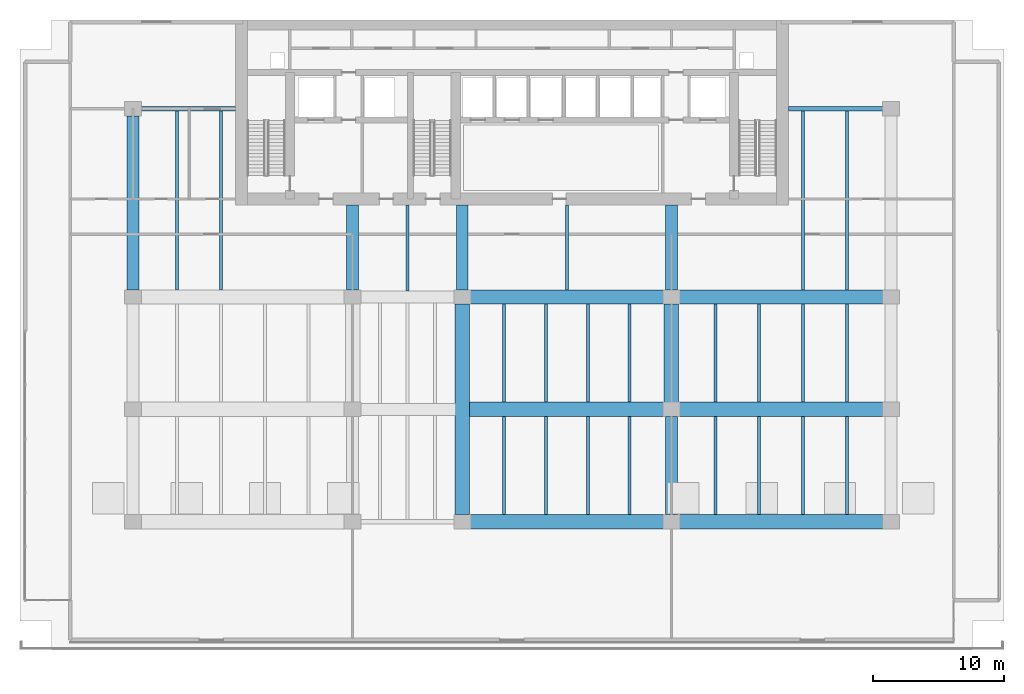
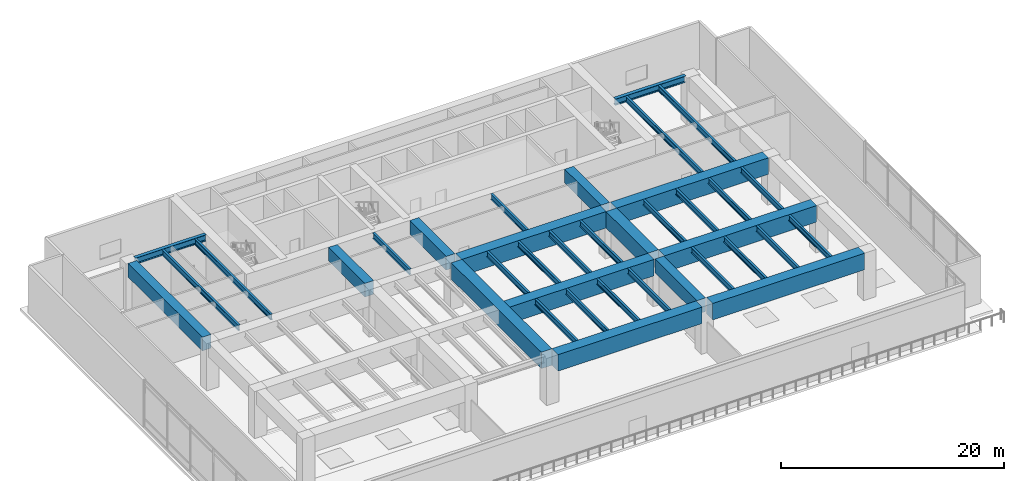
# One storey, part 3 of 12: 37 beams.
"""IFC4 building model written with IfcOpenShell, lengths in metres."""

from ifc_helpers import new_model, si_unit, direction, frame, origin, origin_2d, place, context, subcontext, project, spatial, rectangle, i_section, extrude, material, material_profile, profile_set, type_object, element, save


model = new_model("IFC4")

# Units and contexts
model_context = context("Model", 3, precision=1e-05, world=origin(), true_north=direction((0.0, 1.0)))
body_context = subcontext(model_context, "Body", "Model", "MODEL_VIEW")
ifc_project = project(units=[si_unit("LENGTHUNIT", "METRE"), si_unit("AREAUNIT", "SQUARE_METRE"), si_unit("VOLUMEUNIT", "CUBIC_METRE"), si_unit("PLANEANGLEUNIT", "RADIAN"), si_unit("MASSUNIT", "GRAM", prefix="KILO")], contexts=[model_context])

# Site, building, storey
site_placement = place(None, origin())
site = spatial("IfcSite", under=ifc_project, at=site_placement, CompositionType="ELEMENT")
building_placement = place(site_placement, origin())
building = spatial("IfcBuilding", under=site, at=building_placement, Name="Caelmar Bay Residences", CompositionType="ELEMENT")
storey_placement = place(building_placement, frame((0.0, 0.0, 24.60009765625)))
storey = spatial("IfcBuildingStorey", under=building, at=storey_placement, Name="L05", CompositionType="ELEMENT", Elevation=24.60009765625)

# Beams
ifc_material_1 = material(Name="Steel ASTM A992 Grade 50", Category="steel")
ifc_material_profile_1 = material_profile(ifc_material_1, i_section(OverallWidth=0.22900390625, OverallDepth=0.612060546875, WebThickness=0.011962890625, FlangeThickness=0.01953125, FilletRadius=0.0126953125, at=origin_2d()), Name="W24X84")
ifc_profile_set_1 = profile_set([ifc_material_profile_1], Name="Steel ASTM A992 Grade 50")
beam_type_1 = type_object("IfcBeamType", Name="BM-JST-W24X84", PredefinedType="JOIST", material=ifc_profile_set_1)
for number, where, z_axis, x_axis, name in (
    (1, (38.300048828125, 12.75, 4.843994140625), (0.0, 1.0, 0.0), (-1.0, 0.0, 0.0), "L05 Composite Floor Joist 8"),
    (2, (41.5, 12.75, 4.843994140625), (0.0, 1.0, 0.0), (-1.0, 0.0, 0.0), "L05 Composite Floor Joist 9"),
    (3, (44.699951171875, 12.75, 4.843994140625), (0.0, 1.0, 0.0), (-1.0, 0.0, 0.0), "L05 Composite Floor Joist 10"),
    (4, (47.89990234375, 12.75, 4.843994140625), (0.0, 1.0, 0.0), (-1.0, 0.0, 0.0), "L05 Composite Floor Joist 11"),
    (5, (54.4599609375, 12.75, 4.843994140625), (0.0, 1.0, 0.0), (-1.0, 0.0, 0.0), "L05 Composite Floor Joist 12"),
    (6, (57.820068359375, 12.75, 4.843994140625), (0.0, 1.0, 0.0), (-1.0, 0.0, 0.0), "L05 Composite Floor Joist 13"),
    (7, (61.179931640625, 12.75, 4.843994140625), (0.0, 1.0, 0.0), (-1.0, 0.0, 0.0), "L05 Composite Floor Joist 14"),
    (8, (64.5400390625, 12.75, 4.843994140625), (0.0, 1.0, 0.0), (-1.0, 0.0, 0.0), "L05 Composite Floor Joist 15"),
    (9, (38.300048828125, 21.35009765625, 4.843994140625), (0.0, 1.0, 0.0), (-1.0, 0.0, 0.0), "L05 Composite Floor Joist 23"),
    (10, (41.5, 21.35009765625, 4.843994140625), (0.0, 1.0, 0.0), (-1.0, 0.0, 0.0), "L05 Composite Floor Joist 24"),
    (11, (44.699951171875, 21.35009765625, 4.843994140625), (0.0, 1.0, 0.0), (-1.0, 0.0, 0.0), "L05 Composite Floor Joist 25"),
    (12, (47.89990234375, 21.35009765625, 4.843994140625), (0.0, 1.0, 0.0), (-1.0, 0.0, 0.0), "L05 Composite Floor Joist 26"),
    (13, (54.4599609375, 21.35009765625, 4.843994140625), (0.0, 1.0, 0.0), (-1.0, 0.0, 0.0), "L05 Composite Floor Joist 27"),
    (14, (57.820068359375, 21.35009765625, 4.843994140625), (0.0, 1.0, 0.0), (-1.0, 0.0, 0.0), "L05 Composite Floor Joist 28"),
    (15, (61.179931640625, 21.35009765625, 4.843994140625), (0.0, 1.0, 0.0), (-1.0, 0.0, 0.0), "L05 Composite Floor Joist 29"),
    (16, (64.5400390625, 21.35009765625, 4.843994140625), (0.0, 1.0, 0.0), (-1.0, 0.0, 0.0), "L05 Composite Floor Joist 30"),
):
    element("IfcBeam", number, at=place(storey_placement, frame(where, z_axis=z_axis, x_axis=x_axis)), inside=storey, type_object=beam_type_1, Name=name, PredefinedType="JOIST", context=body_context, shape_type="SweptSolid", body=[
        extrude(i_section(OverallWidth=0.22900390625, OverallDepth=0.612060546875, WebThickness=0.011962890625, FlangeThickness=0.01953125, FilletRadius=0.0126953125, at=origin_2d()), origin(), (0.0, 0.0, 1.0), 7.5),
    ])
beam_1_placement = place(storey_placement, frame((30.89990234375, 29.85009765625, 4.843994140625), z_axis=(0.0, 1.0, 0.0), x_axis=(-1.0, 0.0, 0.0)))
element("IfcBeam", 17, at=beam_1_placement, inside=storey, type_object=beam_type_1, Name="L05 Core-Band Composite Joist 31", PredefinedType="JOIST", context=body_context, shape_type="SweptSolid", body=[
    extrude(i_section(OverallWidth=0.22900390625, OverallDepth=0.612060546875, WebThickness=0.011962890625, FlangeThickness=0.01953125, FilletRadius=0.0126953125, at=origin_2d()), origin(), (0.0, 0.0, 1.0), 6.599853515625),
])
beam_2_placement = place(storey_placement, frame((43.10009765625, 29.949951171875, 4.843994140625), z_axis=(0.0, 1.0, 0.0), x_axis=(-1.0, 0.0, 0.0)))
element("IfcBeam", 18, at=beam_2_placement, inside=storey, type_object=beam_type_1, Name="L05 Core-Band Composite Joist 32", PredefinedType="JOIST", context=body_context, shape_type="SweptSolid", body=[
    extrude(i_section(OverallWidth=0.22900390625, OverallDepth=0.612060546875, WebThickness=0.011962890625, FlangeThickness=0.01953125, FilletRadius=0.0126953125, at=origin_2d()), origin(), (0.0, 0.0, 1.0), 6.5),
])
for number, where, z_axis, x_axis, name in (
    (19, (13.260009765625, 29.949951171875, 4.843994140625), (0.0, 1.0, 0.0), (-1.0, 0.0, 0.0), "L05 Composite Floor Joist 33"),
    (20, (16.6201171875, 29.949951171875, 4.843994140625), (0.0, 1.0, 0.0), (-1.0, 0.0, 0.0), "L05 Composite Floor Joist 34"),
    (21, (61.179931640625, 29.949951171875, 4.843994140625), (0.0, 1.0, 0.0), (-1.0, 0.0, 0.0), "L05 Composite Floor Joist 35"),
    (22, (64.5400390625, 29.949951171875, 4.843994140625), (0.0, 1.0, 0.0), (-1.0, 0.0, 0.0), "L05 Composite Floor Joist 36"),
):
    element("IfcBeam", number, at=place(storey_placement, frame(where, z_axis=z_axis, x_axis=x_axis)), inside=storey, type_object=beam_type_1, Name=name, PredefinedType="JOIST", context=body_context, shape_type="SweptSolid", body=[
        extrude(i_section(OverallWidth=0.22900390625, OverallDepth=0.612060546875, WebThickness=0.011962890625, FlangeThickness=0.01953125, FilletRadius=0.0126953125, at=origin_2d()), origin(), (0.0, 0.0, 1.0), 13.672119140625),
    ])
ifc_material_profile_2 = material_profile(ifc_material_1, i_section(OverallWidth=0.35595703125, OverallDepth=0.696044921875, WebThickness=0.015380859375, FlangeThickness=0.02490234375, FilletRadius=0.01513671875, at=origin_2d()), Name="W27X146")
ifc_profile_set_2 = profile_set([ifc_material_profile_2], Name="Steel ASTM A992 Grade 50")
beam_type_2 = type_object("IfcBeamType", Name="BM-SPN-W27X146", PredefinedType="SPANDREL", material=ifc_profile_set_2)
for number, where, z_axis, x_axis, name in (
    (23, (10.43994140625, 43.800048828125, 4.802001953125), (1.0, 0.0, 0.0), (0.0, 1.0, 0.0), "L05 North-West Wing Core Tie Girder"),
    (24, (60.050048828125, 43.800048828125, 4.802001953125), (1.0, 0.0, 0.0), (0.0, 1.0, 0.0), "L05 North-East Wing Core Tie Girder"),
):
    element("IfcBeam", number, at=place(storey_placement, frame(where, z_axis=z_axis, x_axis=x_axis)), inside=storey, type_object=beam_type_2, Name=name, PredefinedType="SPANDREL", context=body_context, shape_type="SweptSolid", body=[
        extrude(i_section(OverallWidth=0.35595703125, OverallDepth=0.696044921875, WebThickness=0.015380859375, FlangeThickness=0.02490234375, FilletRadius=0.01513671875, at=origin_2d()), origin(), (0.0, 0.0, 1.0), 7.31005859375),
    ])
ifc_material_2 = material(Name="Concrete f'c 70 MPa (10,000 psi)", Category="concrete")
ifc_material_profile_3 = material_profile(ifc_material_2, rectangle(XDim=1.10009765625, YDim=1.800048828125, at=origin_2d()), Name="RC-BM-1100X1800")
ifc_profile_set_3 = profile_set([ifc_material_profile_3], Name="Concrete f'c 70 MPa (10,000 psi)")
beam_type_3 = type_object("IfcBeamType", Name="BM-XFR-1100X1800", PredefinedType="BEAM", material=ifc_profile_set_3)
beam_3_placement = place(storey_placement, frame((35.10009765625, 12.739990234375, 4.25), z_axis=(0.0, 1.0, 0.0), x_axis=(-1.0, 0.0, 0.0)))
element("IfcBeam", 25, at=beam_3_placement, inside=storey, type_object=beam_type_3, Name="L05 Central North-South Transfer Girder X=35.10", PredefinedType="BEAM", context=body_context, shape_type="SweptSolid", body=[
    extrude(rectangle(XDim=1.10009765625, YDim=1.800048828125, at=origin_2d()), origin(), (0.0, 0.0, 1.0), 16.1201171875),
])
beam_4_placement = place(storey_placement, frame((35.639892578125, 12.199951171875, 4.25), z_axis=(1.0, 0.0, 0.0), x_axis=(0.0, 1.0, 0.0)))
element("IfcBeam", 26, at=beam_4_placement, inside=storey, type_object=beam_type_3, Name="L05 East-West Girder Y=12.20 (35.1-51.1)", PredefinedType="BEAM", context=body_context, shape_type="SweptSolid", body=[
    extrude(rectangle(XDim=1.10009765625, YDim=1.800048828125, at=origin_2d()), origin(), (0.0, 0.0, 1.0), 14.920166015625),
])
beam_5_placement = place(storey_placement, frame((51.639892578125, 12.199951171875, 4.25), z_axis=(1.0, 0.0, 0.0), x_axis=(0.0, 1.0, 0.0)))
element("IfcBeam", 27, at=beam_5_placement, inside=storey, type_object=beam_type_3, Name="L05 East-West Girder Y=12.20 (51.1-67.9)", PredefinedType="BEAM", context=body_context, shape_type="SweptSolid", body=[
    extrude(rectangle(XDim=1.10009765625, YDim=1.800048828125, at=origin_2d()), origin(), (0.0, 0.0, 1.0), 15.72021484375),
])
beam_6_placement = place(storey_placement, frame((35.639892578125, 20.800048828125, 4.25), z_axis=(1.0, 0.0, 0.0), x_axis=(0.0, 1.0, 0.0)))
element("IfcBeam", 28, at=beam_6_placement, inside=storey, type_object=beam_type_3, Name="L05 East-West Girder Y=20.80 (35.1-51.1)", PredefinedType="BEAM", context=body_context, shape_type="SweptSolid", body=[
    extrude(rectangle(XDim=1.10009765625, YDim=1.800048828125, at=origin_2d()), origin(), (0.0, 0.0, 1.0), 14.920166015625),
])
beam_7_placement = place(storey_placement, frame((51.639892578125, 20.800048828125, 4.25), z_axis=(1.0, 0.0, 0.0), x_axis=(0.0, 1.0, 0.0)))
element("IfcBeam", 29, at=beam_7_placement, inside=storey, type_object=beam_type_3, Name="L05 East-West Girder Y=20.80 (51.1-67.9)", PredefinedType="BEAM", context=body_context, shape_type="SweptSolid", body=[
    extrude(rectangle(XDim=1.10009765625, YDim=1.800048828125, at=origin_2d()), origin(), (0.0, 0.0, 1.0), 15.72021484375),
])
beam_8_placement = place(storey_placement, frame((35.639892578125, 29.39990234375, 4.25), z_axis=(1.0, 0.0, 0.0), x_axis=(0.0, 1.0, 0.0)))
element("IfcBeam", 30, at=beam_8_placement, inside=storey, type_object=beam_type_3, Name="L05 East-West Girder Y=29.40 (35.1-51.1)", PredefinedType="BEAM", context=body_context, shape_type="SweptSolid", body=[
    extrude(rectangle(XDim=1.10009765625, YDim=1.800048828125, at=origin_2d()), origin(), (0.0, 0.0, 1.0), 14.920166015625),
])
beam_9_placement = place(storey_placement, frame((51.639892578125, 29.39990234375, 4.25), z_axis=(1.0, 0.0, 0.0), x_axis=(0.0, 1.0, 0.0)))
element("IfcBeam", 31, at=beam_9_placement, inside=storey, type_object=beam_type_3, Name="L05 East-West Girder Y=29.40 (51.1-67.9)", PredefinedType="BEAM", context=body_context, shape_type="SweptSolid", body=[
    extrude(rectangle(XDim=1.10009765625, YDim=1.800048828125, at=origin_2d()), origin(), (0.0, 0.0, 1.0), 15.72021484375),
])
beam_10_placement = place(storey_placement, frame((51.10009765625, 21.340087890625, 4.25), z_axis=(0.0, 1.0, 0.0), x_axis=(-1.0, 0.0, 0.0)))
element("IfcBeam", 32, at=beam_10_placement, inside=storey, type_object=beam_type_3, Name="L05 North-South Girder X=51.10 (20.8-29.4)", PredefinedType="BEAM", context=body_context, shape_type="SweptSolid", body=[
    extrude(rectangle(XDim=1.10009765625, YDim=1.800048828125, at=origin_2d()), origin(), (0.0, 0.0, 1.0), 7.52001953125),
])
ifc_material_profile_4 = material_profile(ifc_material_2, rectangle(XDim=0.89990234375, YDim=1.5, at=origin_2d()), Name="RC-BM-900X1500")
ifc_profile_set_4 = profile_set([ifc_material_profile_4], Name="Concrete f'c 70 MPa (10,000 psi)")
beam_type_4 = type_object("IfcBeamType", Name="BM-XFR-900X1500", PredefinedType="BEAM", material=ifc_profile_set_4)
beam_11_placement = place(storey_placement, frame((9.89990234375, 29.93994140625, 4.39990234375), z_axis=(0.0, 1.0, 0.0), x_axis=(-1.0, 0.0, 0.0)))
element("IfcBeam", 33, at=beam_11_placement, inside=storey, type_object=beam_type_4, Name="L05 North-South Girder X=9.90 (29.4-43.8)", PredefinedType="BEAM", context=body_context, shape_type="SweptSolid", body=[
    extrude(rectangle(XDim=0.89990234375, YDim=1.5, at=origin_2d()), origin(), (0.0, 0.0, 1.0), 13.320068359375),
])
for number, where, z_axis, x_axis, name in (
    (34, (26.699951171875, 29.93994140625, 4.39990234375), (0.0, 1.0, 0.0), (-1.0, 0.0, 0.0), "L05 Core Tie Girder X=26.70"),
    (35, (35.10009765625, 29.93994140625, 4.39990234375), (0.0, 1.0, 0.0), (-1.0, 0.0, 0.0), "L05 Core Tie Girder X=35.10"),
    (36, (51.10009765625, 29.93994140625, 4.39990234375), (0.0, 1.0, 0.0), (-1.0, 0.0, 0.0), "L05 Core Tie Girder X=51.10"),
):
    element("IfcBeam", number, at=place(storey_placement, frame(where, z_axis=z_axis, x_axis=x_axis)), inside=storey, type_object=beam_type_4, Name=name, PredefinedType="BEAM", context=body_context, shape_type="SweptSolid", body=[
        extrude(rectangle(XDim=0.89990234375, YDim=1.5, at=origin_2d()), origin(), (0.0, 0.0, 1.0), 6.510009765625),
    ])
beam_12_placement = place(storey_placement, frame((51.10009765625, 12.739990234375, 4.39990234375), z_axis=(0.0, 1.0, 0.0), x_axis=(-1.0, 0.0, 0.0)))
element("IfcBeam", 37, at=beam_12_placement, inside=storey, type_object=beam_type_4, Name="L05 North-South Girder X=51.10 (12.2-20.8)", PredefinedType="BEAM", context=body_context, shape_type="SweptSolid", body=[
    extrude(rectangle(XDim=0.89990234375, YDim=1.5, at=origin_2d()), origin(), (0.0, 0.0, 1.0), 7.52001953125),
])

save(model, "model.ifc")
